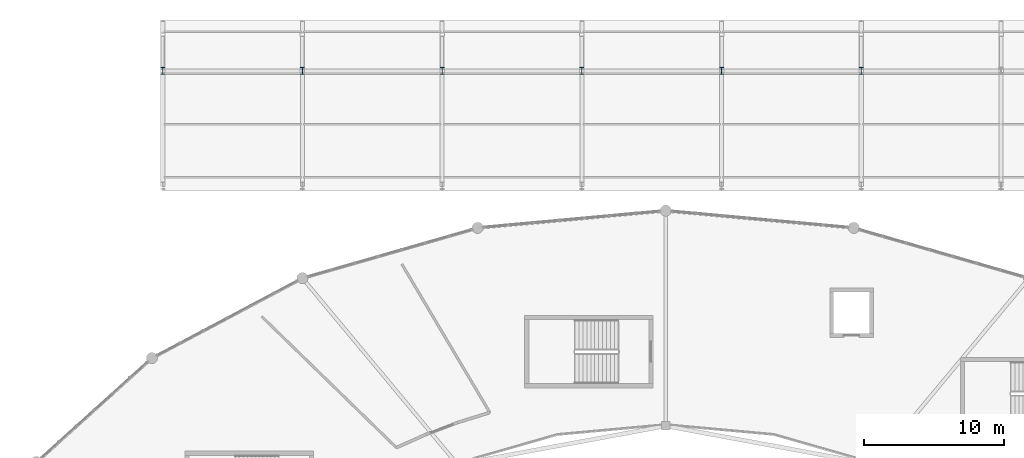
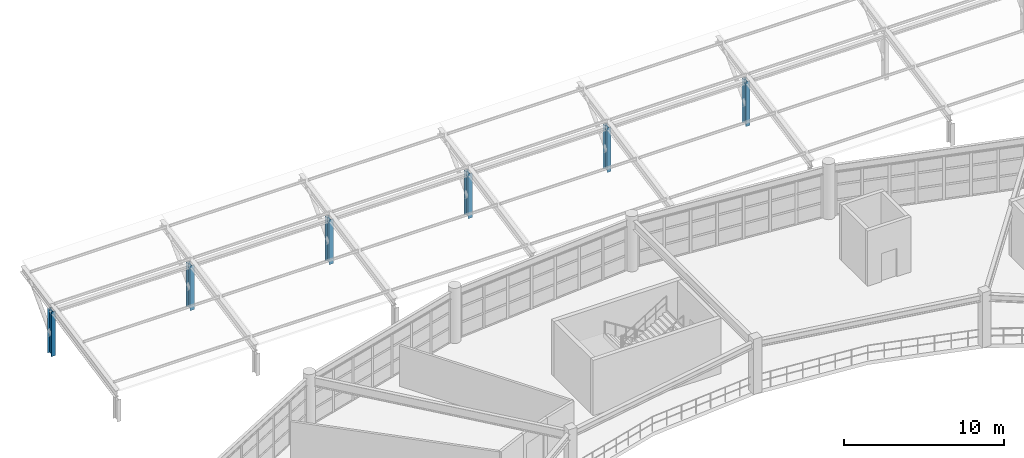
# One storey, part 21 of 100: 6 columns.
"""IFC4 building model written with IfcOpenShell, lengths in metres."""

from ifc_helpers import new_model, si_unit, direction, frame, origin, origin_2d, place, context, subcontext, project, spatial, i_section, extrude, material, material_profile, profile_set, type_object, element, save


model = new_model("IFC4")

# Units and contexts
model_context = context("Model", 3, precision=1e-05, world=origin(), true_north=direction((0.0, 1.0)))
body_context = subcontext(model_context, "Body", "Model", "MODEL_VIEW")
ifc_project = project(units=[si_unit("LENGTHUNIT", "METRE"), si_unit("AREAUNIT", "SQUARE_METRE"), si_unit("VOLUMEUNIT", "CUBIC_METRE"), si_unit("PLANEANGLEUNIT", "RADIAN"), si_unit("MASSUNIT", "GRAM", prefix="KILO")], contexts=[model_context])

# Site, building, storey
site_placement = place(None, origin())
site = spatial("IfcSite", under=ifc_project, at=site_placement, CompositionType="ELEMENT")
building_placement = place(site_placement, origin())
building = spatial("IfcBuilding", under=site, at=building_placement, Name="Kivolera Central Railway Station", CompositionType="ELEMENT")
storey_placement = place(building_placement, frame((0.0, 0.0, 5.39990234375)))
storey = spatial("IfcBuildingStorey", under=building, at=storey_placement, Name="L01", CompositionType="ELEMENT", Elevation=5.39990234375)

# Columns
ifc_material = material(Name="Steel S355", Category="steel")
ifc_material_profile = material_profile(ifc_material, i_section(OverallWidth=0.300048828125, OverallDepth=0.5, WebThickness=0.014404296875, FlangeThickness=0.028076171875, FilletRadius=0.027099609375, at=origin_2d()), Name="HEB 500")
ifc_profile_set = profile_set([ifc_material_profile], Name="Steel S355")
column_type = type_object("IfcColumnType", Name="COL-STL-HEB500", PredefinedType="COLUMN", material=ifc_profile_set)
for number, where, z_axis, x_axis, name in (
    (1, (28.0, 136.0, 0.0), (0.0, 0.0, 1.0), (1.0, 0.0, 0.0), "L01 Forecourt Canopy Upper Pier 1N"),
    (2, (38.0, 136.0, 0.0), (0.0, 0.0, 1.0), (1.0, 0.0, 0.0), "L01 Forecourt Canopy Upper Pier 2N"),
    (3, (48.0, 136.0, 0.0), (0.0, 0.0, 1.0), (1.0, 0.0, 0.0), "L01 Forecourt Canopy Upper Pier 3N"),
    (4, (58.0, 136.0, 0.0), (0.0, 0.0, 1.0), (1.0, 0.0, 0.0), "L01 Forecourt Canopy Upper Pier 4N"),
    (5, (68.0, 136.0, 0.0), (0.0, 0.0, 1.0), (1.0, 0.0, 0.0), "L01 Forecourt Canopy Upper Pier 5N"),
    (6, (78.0, 136.0, 0.0), (0.0, 0.0, 1.0), (1.0, 0.0, 0.0), "L01 Forecourt Canopy Upper Pier 6N"),
):
    element("IfcColumn", number, at=place(storey_placement, frame(where, z_axis=z_axis, x_axis=x_axis)), inside=storey, type_object=column_type, Name=name, PredefinedType="COLUMN", context=body_context, shape_type="SweptSolid", body=[
        extrude(i_section(OverallWidth=0.300048828125, OverallDepth=0.5, WebThickness=0.014404296875, FlangeThickness=0.028076171875, FilletRadius=0.027099609375, at=origin_2d()), origin(), (0.0, 0.0, 1.0), 3.400146484375),
    ])

save(model, "model.ifc")
